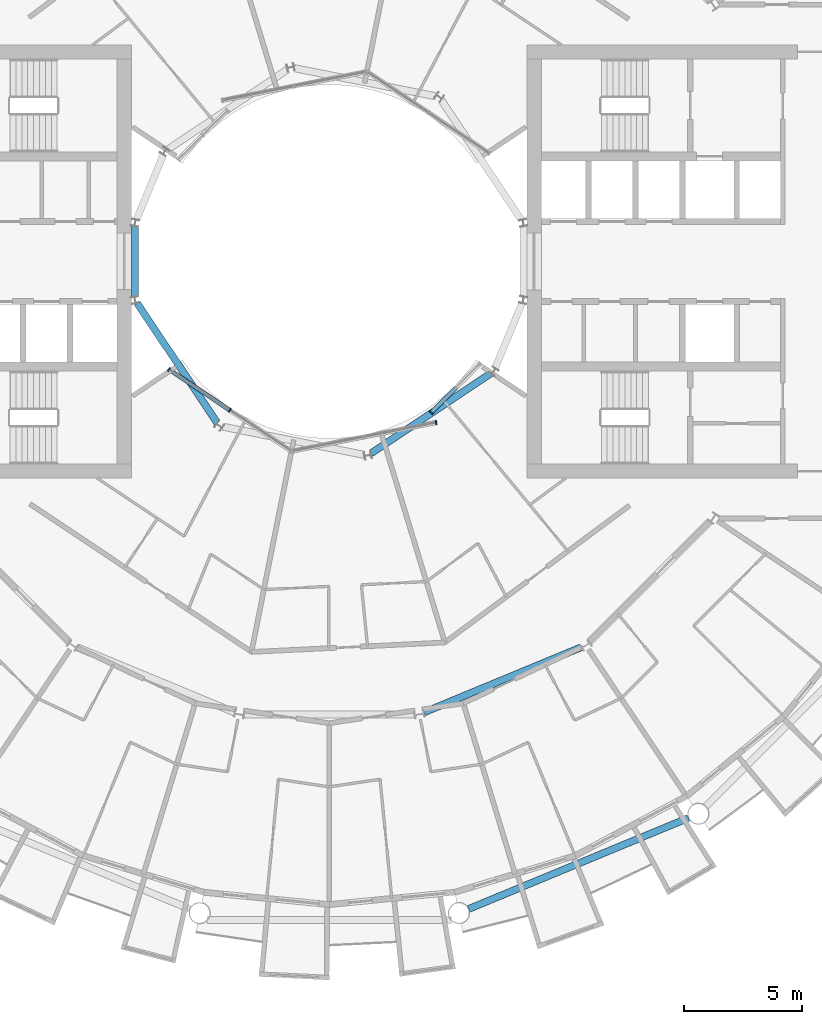
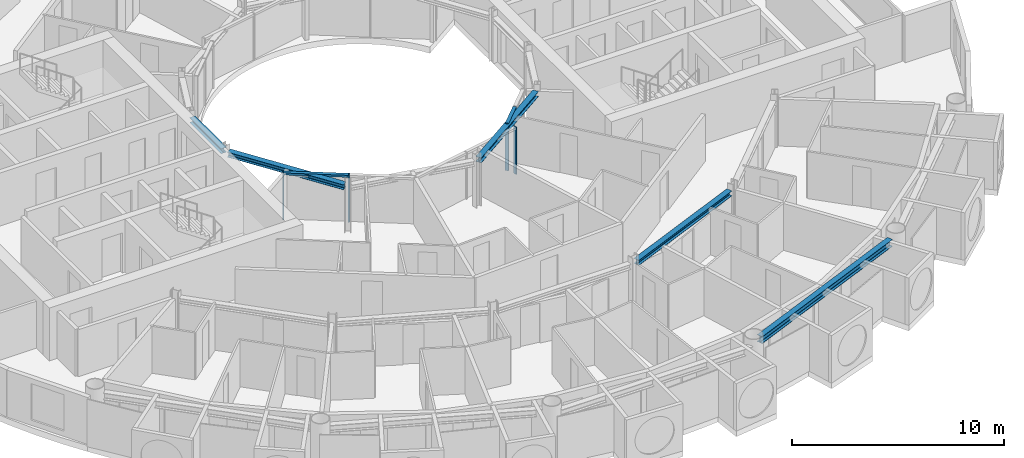
# One storey, part 6 of 26: 6 members, 5 beams, 3 elements without a shape of their own.
"""IFC4 building model written with IfcOpenShell, lengths in metres."""

from ifc_helpers import new_model, si_unit, direction, frame, origin, origin_2d, place, context, subcontext, project, spatial, rectangle, i_section, extrude, material, layer, layer_set, material_profile, profile_set, type_object, element, aggregate, save


model = new_model("IFC4")

# Units and contexts
model_context = context("Model", 3, precision=1e-05, world=origin(), true_north=direction((0.0, 1.0)))
body_context = subcontext(model_context, "Body", "Model", "MODEL_VIEW")
ifc_project = project(units=[si_unit("LENGTHUNIT", "METRE"), si_unit("AREAUNIT", "SQUARE_METRE"), si_unit("VOLUMEUNIT", "CUBIC_METRE"), si_unit("PLANEANGLEUNIT", "RADIAN"), si_unit("MASSUNIT", "GRAM", prefix="KILO")], contexts=[model_context])

# Site, building, storey
site_placement = place(None, origin())
site = spatial("IfcSite", under=ifc_project, at=site_placement, CompositionType="ELEMENT")
building_placement = place(site_placement, origin())
building = spatial("IfcBuilding", under=site, at=building_placement, Name="Maasbend Ring Residences", CompositionType="ELEMENT")
storey_placement = place(building_placement, frame((0.0, 0.0, 123.85009765625)))
storey = spatial("IfcBuildingStorey", under=building, at=storey_placement, Name="L35", CompositionType="ELEMENT", Elevation=123.85009765625)

# Curtain wall, members
ifc_material_1 = material(Name="Aluminium and clear glass", Category="aluminium")
ifc_layer = layer(ifc_material_1, 0.179931640625)
ifc_layer_set = layer_set([ifc_layer], Name="CW-W")
curtain_wall_type = type_object("IfcCurtainWallType", Name="CW-W", PredefinedType="NOTDEFINED", material=ifc_layer_set)
curtain_wall_1_placement = place(storey_placement, origin())
curtain_wall_1 = element("IfcCurtainWall", 1, at=curtain_wall_1_placement, inside=storey, type_object=curtain_wall_type, Name="Well curtain wall S1", PredefinedType="NOTDEFINED")
ifc_material_2 = material(Name="Aluminium 6063-T6", Category="aluminium")
ifc_material_profile_1 = material_profile(ifc_material_2, rectangle(XDim=0.179931640625, YDim=0.06005859375, at=origin_2d()), Name="AL 180x60")
ifc_profile_set_1 = profile_set([ifc_material_profile_1], Name="Aluminium 6063-T6")
member_type_1 = type_object("IfcMemberType", Name="CWM-W", PredefinedType="MULLION", material=ifc_profile_set_1)
member_1_placement = place(storey_placement, frame((-6.805908203125, -4.580810546875, 0.0), z_axis=(0.0, 0.0, 1.0), x_axis=(0.55557023302, 0.831469612303, 0.0)))
member_1 = element("IfcMember", 2, at=member_1_placement, type_object=member_type_1, Name="Mullion well face", PredefinedType="MULLION", context=body_context, shape_type="SweptSolid", body=[
    extrude(rectangle(XDim=0.179931640625, YDim=0.06005859375, at=origin_2d()), origin(), (0.0, 0.0, 1.0), 2.699951171875),
])
member_2_placement = place(storey_placement, frame((-4.216796875, -6.310791015625, 0.0), z_axis=(0.0, 0.0, 1.0), x_axis=(0.55557023302, 0.831469612303, 0.0)))
member_2 = element("IfcMember", 3, at=member_2_placement, type_object=member_type_1, Name="Mullion well face", PredefinedType="MULLION", context=body_context, shape_type="SweptSolid", body=[
    extrude(rectangle(XDim=0.179931640625, YDim=0.06005859375, at=origin_2d()), origin(), (0.0, 0.0, 1.0), 2.699951171875),
])

# Curtain wall, member
curtain_wall_2_placement = place(storey_placement, origin())
curtain_wall_2 = element("IfcCurtainWall", 4, at=curtain_wall_2_placement, inside=storey, type_object=curtain_wall_type, Name="Well curtain wall S2", PredefinedType="NOTDEFINED")
member_3_placement = place(storey_placement, frame((4.53466796875, -6.836669921875, 0.0), z_axis=(0.0, 0.0, 1.0), x_axis=(-0.195090322016, 0.980785280403, 0.0)))
member_3 = element("IfcMember", 5, at=member_3_placement, type_object=member_type_1, Name="Mullion well face", PredefinedType="MULLION", context=body_context, shape_type="SweptSolid", body=[
    extrude(rectangle(XDim=0.179931640625, YDim=0.06005859375, at=origin_2d()), origin(), (0.0, 0.0, 1.0), 2.699951171875),
])
aggregate(curtain_wall_2, [member_3])

curtain_wall_3_placement = place(storey_placement, origin())
curtain_wall_3 = element("IfcCurtainWall", 6, at=curtain_wall_3_placement, inside=storey, type_object=curtain_wall_type, Name="Well curtain wall S3", PredefinedType="NOTDEFINED")
member_4_placement = place(storey_placement, frame((4.320556640625, -6.413330078125, 0.0), z_axis=(0.0, 0.0, 1.0), x_axis=(-0.707106781187, 0.707106781187, 0.0)))
member_4 = element("IfcMember", 7, at=member_4_placement, type_object=member_type_1, Name="Mullion well face", PredefinedType="MULLION", context=body_context, shape_type="SweptSolid", body=[
    extrude(rectangle(XDim=0.179931640625, YDim=0.06005859375, at=origin_2d()), origin(), (0.0, 0.0, 1.0), 2.699951171875),
])

# Member
ifc_material_3 = material(Name="Aluminium 6063-T6", Category="aluminium")
ifc_material_profile_2 = material_profile(ifc_material_3, rectangle(XDim=0.179931640625, YDim=0.1201171875, at=origin_2d()), Name="AL 180x120")
ifc_profile_set_2 = profile_set([ifc_material_profile_2], Name="Aluminium 6063-T6")
member_type_2 = type_object("IfcMemberType", Name="CWT-W", PredefinedType="USERDEFINED", material=ifc_profile_set_2)
member_5_placement = place(storey_placement, frame((-6.781005859375, -4.59765625, 2.639892578125), z_axis=(0.831496422459, -0.555530106689, 0.0), x_axis=(0.555530106689, 0.831496422459, 0.0)))
member_5 = element("IfcMember", 8, at=member_5_placement, type_object=member_type_2, Name="Transom well face", ObjectType="TRANSOM", PredefinedType="USERDEFINED", context=body_context, shape_type="SweptSolid", body=[
    extrude(rectangle(XDim=0.179931640625, YDim=0.1201171875, at=origin_2d()), origin(), (0.0, 0.0, 1.0), 3.053955078125),
])

aggregate(curtain_wall_1, [member_1, member_2, member_5])

member_6_placement = place(storey_placement, frame((4.341796875, -6.39208984375, 2.639892578125), z_axis=(0.707106781187, 0.707106781187, 0.0), x_axis=(-0.707106781187, 0.707106781187, 0.0)))
member_6 = element("IfcMember", 9, at=member_6_placement, type_object=member_type_2, Name="Transom well face", ObjectType="TRANSOM", PredefinedType="USERDEFINED", context=body_context, shape_type="SweptSolid", body=[
    extrude(rectangle(XDim=0.179931640625, YDim=0.1201171875, at=origin_2d()), origin(), (0.0, 0.0, 1.0), 1.419677734375),
])

aggregate(curtain_wall_3, [member_4, member_6])

# Beams
ifc_material_4 = material(Name="Steel S355J2", Category="steel")
ifc_material_profile_3 = material_profile(ifc_material_4, i_section(OverallWidth=0.300048828125, OverallDepth=0.2900390625, WebThickness=0.008544921875, FlangeThickness=0.013916015625, FilletRadius=0.027099609375, at=origin_2d()), Name="HEA 300")
ifc_profile_set_3 = profile_set([ifc_material_profile_3], Name="Steel S355J2")
beam_type_1 = type_object("IfcBeamType", Name="Corridor ring beam HEA 300", PredefinedType="BEAM", material=ifc_profile_set_3)
beam_1_placement = place(storey_placement, frame((4.02734375, -19.13916015625, 2.554931640625), z_axis=(0.923877693919, 0.382687871089, 0.0), x_axis=(-0.382687871089, 0.923877693919, 0.0)))
element("IfcBeam", 10, at=beam_1_placement, inside=storey, type_object=beam_type_1, Name="Corridor ring beam", PredefinedType="BEAM", context=body_context, shape_type="SweptSolid", body=[
    extrude(i_section(OverallWidth=0.300048828125, OverallDepth=0.2900390625, WebThickness=0.008544921875, FlangeThickness=0.013916015625, FilletRadius=0.027099609375, at=origin_2d()), origin(), (0.0, 0.0, 1.0), 7.20703125),
])
ifc_material_5 = material(Name="Steel S355J2", Category="steel")
ifc_material_profile_4 = material_profile(ifc_material_5, i_section(OverallWidth=0.300048828125, OverallDepth=0.39990234375, WebThickness=0.013427734375, FlangeThickness=0.02392578125, FilletRadius=0.027099609375, at=origin_2d()), Name="HEB 400")
ifc_profile_set_4 = profile_set([ifc_material_profile_4], Name="Steel S355J2")
beam_type_2 = type_object("IfcBeamType", Name="Spandrel ring beam HEB 400", PredefinedType="SPANDREL", material=ifc_profile_set_4)
beam_2_placement = place(storey_placement, frame((5.923583984375, -27.483154296875, 2.5), z_axis=(0.92388529709, 0.382669515144, 0.0), x_axis=(-0.382669515144, 0.92388529709, 0.0)))
element("IfcBeam", 11, at=beam_2_placement, inside=storey, type_object=beam_type_2, Name="Spandrel ring beam", PredefinedType="SPANDREL", context=body_context, shape_type="SweptSolid", body=[
    extrude(i_section(OverallWidth=0.300048828125, OverallDepth=0.39990234375, WebThickness=0.013427734375, FlangeThickness=0.02392578125, FilletRadius=0.027099609375, at=origin_2d()), origin(), (0.0, 0.0, 1.0), 10.089111328125),
])
ifc_material_6 = material(Name="Steel S355J2", Category="steel")
ifc_material_profile_5 = material_profile(ifc_material_6, i_section(OverallWidth=0.300048828125, OverallDepth=0.2900390625, WebThickness=0.008544921875, FlangeThickness=0.013916015625, FilletRadius=0.027099609375, at=origin_2d()), Name="HEA 300")
ifc_profile_set_5 = profile_set([ifc_material_profile_5], Name="Steel S355J2")
beam_type_3 = type_object("IfcBeamType", Name="Well edge beam HEA 300", PredefinedType="BEAM", material=ifc_profile_set_5)
beam_3_placement = place(storey_placement, frame((-8.238525390625, 1.48583984375, 2.554931640625), z_axis=(0.0, -1.0, 0.0), x_axis=(1.0, 0.0, 0.0)))
element("IfcBeam", 12, at=beam_3_placement, inside=storey, type_object=beam_type_3, Name="Well edge beam", PredefinedType="BEAM", context=body_context, shape_type="SweptSolid", body=[
    extrude(i_section(OverallWidth=0.300048828125, OverallDepth=0.2900390625, WebThickness=0.008544921875, FlangeThickness=0.013916015625, FilletRadius=0.027099609375, at=origin_2d()), origin(), (0.0, 0.0, 1.0), 2.9716796875),
])
for number, where, z_axis, x_axis, name in (
    (13, (-8.1484375, -1.773681640625, 2.554931640625), (0.555558236289, -0.831477628137, 0.0), (0.831477628137, 0.555558236289, 0.0), "Well edge beam"),
    (14, (1.773681640625, -8.1484375, 2.554931640625), (0.831477628137, 0.555558236289, 0.0), (-0.555558236289, 0.831477628137, 0.0), "Well edge beam"),
):
    element("IfcBeam", number, at=place(storey_placement, frame(where, z_axis=z_axis, x_axis=x_axis)), inside=storey, type_object=beam_type_3, Name=name, PredefinedType="BEAM", context=body_context, shape_type="SweptSolid", body=[
        extrude(i_section(OverallWidth=0.300048828125, OverallDepth=0.2900390625, WebThickness=0.008544921875, FlangeThickness=0.013916015625, FilletRadius=0.027099609375, at=origin_2d()), origin(), (0.0, 0.0, 1.0), 6.1044921875),
    ])

save(model, "model.ifc")
